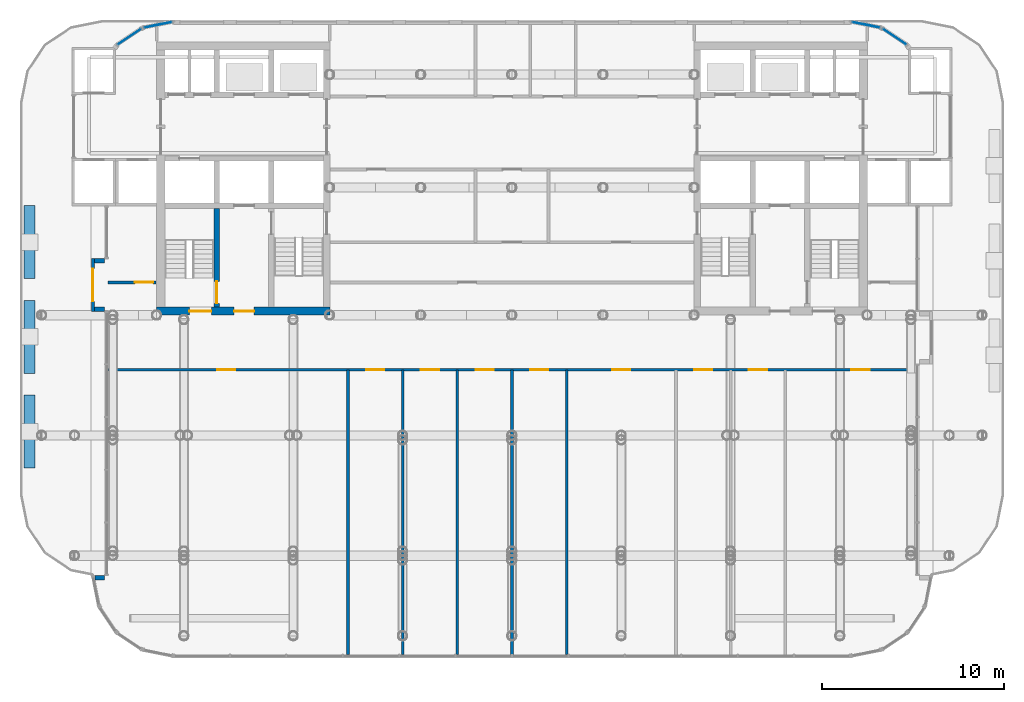
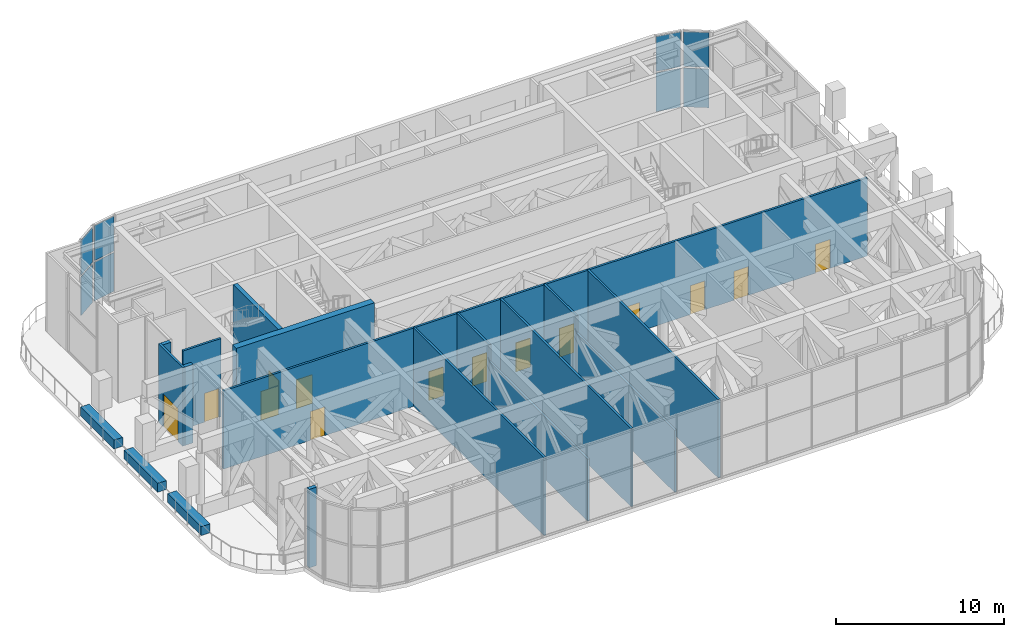
# One storey, part 12 of 21: 18 walls, 14 doors, 8 plates, 14 openings, 4 elements without a shape of their own.
"""IFC4 building model written with IfcOpenShell, lengths in metres."""

from ifc_helpers import new_model, si_unit, direction, frame, frame_2d, origin, origin_2d, place, context, subcontext, project, spatial, rectangle, extrude, material, layer, layer_set, type_object, element, fill, aggregate, save


model = new_model("IFC4")

# Units and contexts
model_context = context("Model", 3, precision=1e-05, world=origin(), true_north=direction((0.0, 1.0)))
body_context = subcontext(model_context, "Body", "Model", "MODEL_VIEW")
ifc_project = project(units=[si_unit("LENGTHUNIT", "METRE"), si_unit("AREAUNIT", "SQUARE_METRE"), si_unit("VOLUMEUNIT", "CUBIC_METRE"), si_unit("PLANEANGLEUNIT", "RADIAN"), si_unit("MASSUNIT", "GRAM", prefix="KILO")], contexts=[model_context])

# Site, building, storey
site_placement = place(None, origin())
site = spatial("IfcSite", under=ifc_project, at=site_placement, CompositionType="ELEMENT")
building_placement = place(site_placement, origin())
building = spatial("IfcBuilding", under=site, at=building_placement, Name="Torana Hotel and Residences", CompositionType="ELEMENT")
storey_placement = place(building_placement, frame((0.0, 0.0, 246.60009765625)))
storey = spatial("IfcBuildingStorey", under=building, at=storey_placement, Name="L65", CompositionType="ELEMENT", Elevation=246.60009765625)

# Curtain wall, plates
ifc_material_1 = material(Name="Dark anodised aluminium", Category="aluminium")
ifc_layer_1 = layer(ifc_material_1, 0.199951171875)
ifc_layer_set_1 = layer_set([ifc_layer_1], Name="CW2 SKY LOBBY UNITISED CURTAIN WALL")
curtain_wall_type = type_object("IfcCurtainWallType", Name="CW2 SKY LOBBY UNITISED CURTAIN WALL", PredefinedType="NOTDEFINED", material=ifc_layer_set_1)
curtain_wall_1_placement = place(storey_placement, origin())
curtain_wall_1 = element("IfcCurtainWall", 1, at=curtain_wall_1_placement, inside=storey, type_object=curtain_wall_type, Name="Curtain wall CW2 L65 e0.19-1", PredefinedType="NOTDEFINED")
ifc_material_2 = material(Name="Glass dark tinted double glazed unit", Category="glass")
ifc_layer_2 = layer(ifc_material_2, 0.031982421875)
ifc_layer_set_2 = layer_set([ifc_layer_2], Name="CW2 DARK GLASS PANEL 32")
plate_type = type_object("IfcPlateType", Name="CW2 DARK GLASS PANEL 32", PredefinedType="CURTAIN_PANEL", material=ifc_layer_set_2)
plate_1_placement = place(storey_placement, frame((20.99658203125, 0.28662109375, 0.11962890625), z_axis=(0.0, 0.0, 1.0), x_axis=(-0.831473968618, 0.555563713278, 0.0)))
plate_1 = element("IfcPlate", 2, at=plate_1_placement, type_object=plate_type, Name="CW2 panel 1.1", PredefinedType="CURTAIN_PANEL", context=body_context, shape_type="SweptSolid", body=[
    extrude(rectangle(XDim=1.516357421875, YDim=0.031982421875, at=origin_2d()), origin(), (0.0, 0.0, 1.0), 2.820068359375),
])
plate_2_placement = place(storey_placement, frame((20.99658203125, 0.28662109375, 3.059814453125), z_axis=(0.0, 0.0, 1.0), x_axis=(-0.831473968618, 0.555563713278, 0.0)))
plate_2 = element("IfcPlate", 3, at=plate_2_placement, type_object=plate_type, Name="CW2 panel 1.2", PredefinedType="CURTAIN_PANEL", context=body_context, shape_type="SweptSolid", body=[
    extrude(rectangle(XDim=1.516357421875, YDim=0.031982421875, at=origin_2d()), origin(), (0.0, 0.0, 1.0), 2.5400390625),
])
aggregate(curtain_wall_1, [plate_1, plate_2])

curtain_wall_2_placement = place(storey_placement, origin())
curtain_wall_2 = element("IfcCurtainWall", 4, at=curtain_wall_2_placement, inside=storey, type_object=curtain_wall_type, Name="Curtain wall CW2 L65 e0.20-1", PredefinedType="NOTDEFINED")
plate_3_placement = place(storey_placement, frame((19.42919921875, 0.93310546875, 0.11962890625), z_axis=(0.0, 0.0, 1.0), x_axis=(-0.980790545928, 0.195063848566, 0.0)))
plate_3 = element("IfcPlate", 5, at=plate_3_placement, type_object=plate_type, Name="CW2 panel 1.1", PredefinedType="CURTAIN_PANEL", context=body_context, shape_type="SweptSolid", body=[
    extrude(rectangle(XDim=1.54150390625, YDim=0.031982421875, at=origin_2d()), origin(), (0.0, 0.0, 1.0), 2.820068359375),
])
plate_4_placement = place(storey_placement, frame((19.42919921875, 0.93310546875, 3.059814453125), z_axis=(0.0, 0.0, 1.0), x_axis=(-0.980790545928, 0.195063848566, 0.0)))
plate_4 = element("IfcPlate", 6, at=plate_4_placement, type_object=plate_type, Name="CW2 panel 1.2", PredefinedType="CURTAIN_PANEL", context=body_context, shape_type="SweptSolid", body=[
    extrude(rectangle(XDim=1.54150390625, YDim=0.031982421875, at=origin_2d()), origin(), (0.0, 0.0, 1.0), 2.5400390625),
])
aggregate(curtain_wall_2, [plate_3, plate_4])

curtain_wall_3_placement = place(storey_placement, origin())
curtain_wall_3 = element("IfcCurtainWall", 7, at=curtain_wall_3_placement, inside=storey, type_object=curtain_wall_type, Name="Curtain wall CW2 L65 e0.22-1", PredefinedType="NOTDEFINED")
plate_5_placement = place(storey_placement, frame((-19.42919921875, 0.93310546875, 0.11962890625), z_axis=(0.0, 0.0, 1.0), x_axis=(-0.980790545928, -0.195063848566, 0.0)))
plate_5 = element("IfcPlate", 8, at=plate_5_placement, type_object=plate_type, Name="CW2 panel 1.1", PredefinedType="CURTAIN_PANEL", context=body_context, shape_type="SweptSolid", body=[
    extrude(rectangle(XDim=1.54150390625, YDim=0.031982421875, at=origin_2d()), origin(), (0.0, 0.0, 1.0), 2.820068359375),
])
plate_6_placement = place(storey_placement, frame((-19.42919921875, 0.93310546875, 3.059814453125), z_axis=(0.0, 0.0, 1.0), x_axis=(-0.980790545928, -0.195063848566, 0.0)))
plate_6 = element("IfcPlate", 9, at=plate_6_placement, type_object=plate_type, Name="CW2 panel 1.2", PredefinedType="CURTAIN_PANEL", context=body_context, shape_type="SweptSolid", body=[
    extrude(rectangle(XDim=1.54150390625, YDim=0.031982421875, at=origin_2d()), origin(), (0.0, 0.0, 1.0), 2.5400390625),
])
aggregate(curtain_wall_3, [plate_5, plate_6])

curtain_wall_4_placement = place(storey_placement, origin())
curtain_wall_4 = element("IfcCurtainWall", 10, at=curtain_wall_4_placement, inside=storey, type_object=curtain_wall_type, Name="Curtain wall CW2 L65 e0.23-1", PredefinedType="NOTDEFINED")
plate_7_placement = place(storey_placement, frame((-20.99658203125, 0.28662109375, 0.11962890625), z_axis=(0.0, 0.0, 1.0), x_axis=(-0.831473968618, -0.555563713278, 0.0)))
plate_7 = element("IfcPlate", 11, at=plate_7_placement, type_object=plate_type, Name="CW2 panel 1.1", PredefinedType="CURTAIN_PANEL", context=body_context, shape_type="SweptSolid", body=[
    extrude(rectangle(XDim=1.516357421875, YDim=0.031982421875, at=origin_2d()), origin(), (0.0, 0.0, 1.0), 2.820068359375),
])
plate_8_placement = place(storey_placement, frame((-20.99658203125, 0.28662109375, 3.059814453125), z_axis=(0.0, 0.0, 1.0), x_axis=(-0.831473968618, -0.555563713278, 0.0)))
plate_8 = element("IfcPlate", 12, at=plate_8_placement, type_object=plate_type, Name="CW2 panel 1.2", PredefinedType="CURTAIN_PANEL", context=body_context, shape_type="SweptSolid", body=[
    extrude(rectangle(XDim=1.516357421875, YDim=0.031982421875, at=origin_2d()), origin(), (0.0, 0.0, 1.0), 2.5400390625),
])
aggregate(curtain_wall_4, [plate_7, plate_8])

# Wall, opening, door
ifc_material_3 = material(Name="Concrete C60/75", Category="concrete")
ifc_layer_3 = layer(ifc_material_3, 0.300048828125)
ifc_layer_set_3 = layer_set([ifc_layer_3], Name="CORE WALL 300 C60/75")
wall_type_1 = type_object("IfcWallType", Name="CORE WALL 300 C60/75", PredefinedType="SHEAR", material=ifc_layer_set_3)
wall_1_placement = place(storey_placement, frame((-16.199951171875, -14.550048828125, 0.0), z_axis=(0.0, 0.0, 1.0), x_axis=(0.0, 1.0, 0.0)))
wall_1 = element("IfcWall", 13, at=wall_1_placement, inside=storey, type_object=wall_type_1, Name="Core wall W x6.05-band", PredefinedType="SHEAR", context=body_context, shape_type="SweptSolid", body=[
    extrude(rectangle(XDim=5.400146484375, YDim=0.300048828125, at=frame_2d((2.7001953125, 0.0))), origin(), (0.0, 0.0, 1.0), 6.0),
])
opening_1_placement = place(wall_1_placement, frame((0.199951171875, 0.0, 0.0)))
opening_1 = element("IfcOpeningElement", 14, at=opening_1_placement, cuts=wall_1, Name="Opening L65-13", PredefinedType="OPENING", context=body_context, shape_type="SweptSolid", body=[
    extrude(rectangle(XDim=1.199951171875, YDim=2.10009765625, at=frame_2d((0.60009765625, 1.050048828125))), frame((0.0, 0.159912109375, 0.0), z_axis=(0.0, -1.0, 0.0), x_axis=(1.0, 0.0, 0.0)), (0.0, 0.0, 1.0), 0.320068359375),
])
ifc_material_4 = material(Name="Steel S235", Category="steel")
door_type_1 = type_object("IfcDoorType", Name="STAIR FIRE DOOR D3 1200x2100", OperationType="SINGLE_SWING_LEFT", PredefinedType="DOOR", material=ifc_material_4)
door_1_placement = place(opening_1_placement, origin())
door_1 = element("IfcDoor", 15, at=door_1_placement, inside=storey, type_object=door_type_1, Name="Stair-B-lobby door L65", OperationType="SINGLE_SWING_RIGHT", OverallHeight=2.10009765625, OverallWidth=1.199951171875, PredefinedType="DOOR", context=body_context, shape_type="SweptSolid", body=[
    extrude(rectangle(XDim=1.199951171875, YDim=2.10009765625, at=frame_2d((0.60009765625, 1.050048828125))), frame((0.0, 0.02490234375, 0.0), z_axis=(0.0, -1.0, 0.0), x_axis=(1.0, 0.0, 0.0)), (0.0, 0.0, 1.0), 0.050048828125),
])
fill(opening_1, door_1)

# Wall, openings, doors
ifc_material_5 = material(Name="Concrete C60/75", Category="concrete")
ifc_layer_4 = layer(ifc_material_5, 0.449951171875)
ifc_layer_set_4 = layer_set([ifc_layer_4], Name="CORE WALL 450 C60/75")
wall_type_2 = type_object("IfcWallType", Name="CORE WALL 450 C60/75", PredefinedType="SHEAR", material=ifc_layer_set_4)
wall_2_placement = place(storey_placement, frame((-19.5, -14.77490234375, 0.0), z_axis=(0.0, 0.0, 1.0), x_axis=(1.0, 0.0, 0.0)))
wall_2 = element("IfcWall", 16, at=wall_2_placement, inside=storey, type_object=wall_type_2, Name="Core wall W front", PredefinedType="SHEAR", context=body_context, shape_type="SweptSolid", body=[
    extrude(rectangle(XDim=9.5, YDim=0.449951171875, at=frame_2d((4.75, 0.0))), origin(), (0.0, 0.0, 1.0), 6.0),
])
opening_2_placement = place(wall_2_placement, frame((1.800048828125, 0.0, 0.0)))
opening_2 = element("IfcOpeningElement", 17, at=opening_2_placement, cuts=wall_2, Name="Opening L65-08", PredefinedType="OPENING", context=body_context, shape_type="SweptSolid", body=[
    extrude(rectangle(XDim=1.199951171875, YDim=2.10009765625, at=frame_2d((0.60009765625, 1.050048828125))), frame((0.0, 0.23486328125, 0.0), z_axis=(0.0, -1.0, 0.0), x_axis=(1.0, 0.0, 0.0)), (0.0, 0.0, 1.0), 0.469970703125),
])
opening_3_placement = place(wall_2_placement, frame((4.25, 0.0, 0.0)))
opening_3 = element("IfcOpeningElement", 18, at=opening_3_placement, cuts=wall_2, Name="Opening L65-09", PredefinedType="OPENING", context=body_context, shape_type="SweptSolid", body=[
    extrude(rectangle(XDim=1.10009765625, YDim=2.10009765625, at=frame_2d((0.550048828125, 1.050048828125))), frame((0.0, 0.23486328125, 0.0), z_axis=(0.0, -1.0, 0.0), x_axis=(1.0, 0.0, 0.0)), (0.0, 0.0, 1.0), 0.469970703125),
])
ifc_material_6 = material(Name="Steel S235", Category="steel")
door_type_2 = type_object("IfcDoorType", Name="FIRE-FIGHTING LOBBY DOOR D8 1100x2100", OperationType="SINGLE_SWING_LEFT", PredefinedType="DOOR", material=ifc_material_6)
door_2_placement = place(opening_3_placement, origin())
door_2 = element("IfcDoor", 19, at=door_2_placement, inside=storey, type_object=door_type_2, Name="FF-lobby door L65", OperationType="SINGLE_SWING_RIGHT", OverallHeight=2.10009765625, OverallWidth=1.10009765625, PredefinedType="DOOR", context=body_context, shape_type="SweptSolid", body=[
    extrude(rectangle(XDim=1.10009765625, YDim=2.10009765625, at=frame_2d((0.550048828125, 1.050048828125))), frame((0.0, 0.02490234375, 0.0), z_axis=(0.0, -1.0, 0.0), x_axis=(1.0, 0.0, 0.0)), (0.0, 0.0, 1.0), 0.050048828125),
])
fill(opening_3, door_2)
door_3_placement = place(opening_2_placement, origin())
door_3 = element("IfcDoor", 20, at=door_3_placement, inside=storey, type_object=door_type_1, Name="Stair-B door L65", OperationType="SINGLE_SWING_LEFT", OverallHeight=2.10009765625, OverallWidth=1.199951171875, PredefinedType="DOOR", context=body_context, shape_type="SweptSolid", body=[
    extrude(rectangle(XDim=1.199951171875, YDim=2.10009765625, at=frame_2d((0.60009765625, 1.050048828125))), frame((0.0, 0.02490234375, 0.0), z_axis=(0.0, -1.0, 0.0), x_axis=(1.0, 0.0, 0.0)), (0.0, 0.0, 1.0), 0.050048828125),
])
fill(opening_2, door_3)

# Walls
ifc_material_7 = material(Name="Black aluminium composite panel", Category="aluminium")
ifc_layer_5 = layer(ifc_material_7, 0.00390625, Name="Cladding", Category="cladding")
ifc_material_8 = material(Name="Ventilated air cavity")
ifc_layer_6 = layer(ifc_material_8, 0.0400390625, Name="Ventilated cavity", Category="cavity")
ifc_material_9 = material(Name="Mineral wool insulation")
ifc_layer_7 = layer(ifc_material_9, 0.090087890625, Name="Insulation", Category="insulation")
ifc_material_10 = material(Name="Steel S280GD", Category="steel")
ifc_layer_8 = layer(ifc_material_10, 0.092041015625, Name="Steel stud frame", Category="structure")
ifc_material_11 = material(Name="Fire rated plasterboard")
ifc_layer_9 = layer(ifc_material_11, 0.011962890625, Name="Inner board", Category="finish")
ifc_layer_10 = layer(ifc_material_11, 0.011962890625, Name="Second board", Category="finish")
ifc_layer_set_5 = layer_set([ifc_layer_5, ifc_layer_6, ifc_layer_7, ifc_layer_8, ifc_layer_9, ifc_layer_10], Name="EW1 EXTERNAL WALL BLACK METAL CLAD 250")
wall_type_3 = type_object("IfcWallType", Name="EW1 EXTERNAL WALL BLACK METAL CLAD 250", PredefinedType="SOLIDWALL", material=ifc_layer_set_5)
for number, where, z_axis, x_axis, name in (
    (21, (-22.35498046875, -12.021484375, 0.0), (0.0, 0.0, 1.0), (-1.0, 0.0, 0.0), "External wall L65 e0.4.1 bay return 1"),
    (22, (-22.35498046875, -14.66796875, 0.0), (0.0, 0.0, 1.0), (-1.0, 0.0, 0.0), "External wall L65 e0.4.1 bay return 2"),
):
    element("IfcWall", number, at=place(storey_placement, frame(where, z_axis=z_axis, x_axis=x_axis)), inside=storey, type_object=wall_type_3, Name=name, PredefinedType="SOLIDWALL", context=body_context, shape_type="SweptSolid", body=[
        extrude(rectangle(XDim=0.570068359375, YDim=0.25, at=frame_2d((0.28515625, 0.0))), origin(), (0.0, 0.0, 1.0), 5.719970703125),
    ])
wall_3_placement = place(storey_placement, frame((-22.35498046875, -29.400390625, 0.0), z_axis=(0.0, 0.0, 1.0), x_axis=(-1.0, 0.0, 0.0)))
element("IfcWall", 23, at=wall_3_placement, inside=storey, type_object=wall_type_3, Name="External wall L65 e0.4 return 2", PredefinedType="SOLIDWALL", context=body_context, shape_type="SweptSolid", body=[
    extrude(rectangle(XDim=0.52490234375, YDim=0.25, at=frame_2d((0.262451171875, 0.0))), origin(), (0.0, 0.0, 1.0), 5.719970703125),
])

# Wall, openings, doors
ifc_material_12 = material(Name="Gypsum plaster")
ifc_layer_11 = layer(ifc_material_12, 0.014892578125, Name="Plaster", Category="finish")
ifc_material_13 = material(Name="Concrete blockwork", Category="masonry")
ifc_layer_12 = layer(ifc_material_13, 0.1201171875, Name="Blockwork", Category="structure")
ifc_layer_13 = layer(ifc_material_12, 0.014892578125, Name="Plaster", Category="finish")
ifc_layer_set_6 = layer_set([ifc_layer_11, ifc_layer_12, ifc_layer_13], Name="FIRE PARTITION 150 BLOCKWORK")
wall_type_4 = type_object("IfcWallType", Name="FIRE PARTITION 150 BLOCKWORK", PredefinedType="PARTITIONING", material=ifc_layer_set_6)
wall_4_placement = place(storey_placement, frame((-22.175048828125, -18.0, 0.0), z_axis=(0.0, 0.0, 1.0), x_axis=(1.0, 0.0, 0.0)))
wall_4 = element("IfcWall", 24, at=wall_4_placement, inside=storey, type_object=wall_type_4, Name="Partition L65", PredefinedType="PARTITIONING", context=body_context, shape_type="SweptSolid", body=[
    extrude(rectangle(XDim=44.35009765625, YDim=0.14990234375, at=frame_2d((22.175048828125, 0.0))), origin(), (0.0, 0.0, 1.0), 5.699951171875),
])
opening_4_placement = place(wall_4_placement, frame((5.9970703125, 0.0, 0.0)))
opening_4 = element("IfcOpeningElement", 25, at=opening_4_placement, cuts=wall_4, Name="Opening L65-24", PredefinedType="OPENING", context=body_context, shape_type="SweptSolid", body=[
    extrude(rectangle(XDim=1.0, YDim=2.10009765625, at=frame_2d((0.5, 1.050048828125))), frame((0.0, 0.0849609375, 0.0), z_axis=(0.0, -1.0, 0.0), x_axis=(1.0, 0.0, 0.0)), (0.0, 0.0, 1.0), 0.169921875),
])
opening_5_placement = place(wall_4_placement, frame((14.175048828125, 0.0, 0.0)))
opening_5 = element("IfcOpeningElement", 26, at=opening_5_placement, cuts=wall_4, Name="Opening L65-25", PredefinedType="OPENING", context=body_context, shape_type="SweptSolid", body=[
    extrude(rectangle(XDim=1.0, YDim=2.10009765625, at=frame_2d((0.5, 1.050048828125))), frame((0.0, 0.0849609375, 0.0), z_axis=(0.0, -1.0, 0.0), x_axis=(1.0, 0.0, 0.0)), (0.0, 0.0, 1.0), 0.169921875),
])
opening_6_placement = place(wall_4_placement, frame((17.175048828125, 0.0, 0.0)))
opening_6 = element("IfcOpeningElement", 27, at=opening_6_placement, cuts=wall_4, Name="Opening L65-26", PredefinedType="OPENING", context=body_context, shape_type="SweptSolid", body=[
    extrude(rectangle(XDim=1.0, YDim=2.10009765625, at=frame_2d((0.5, 1.050048828125))), frame((0.0, 0.0849609375, 0.0), z_axis=(0.0, -1.0, 0.0), x_axis=(1.0, 0.0, 0.0)), (0.0, 0.0, 1.0), 0.169921875),
])
opening_7_placement = place(wall_4_placement, frame((20.175048828125, 0.0, 0.0)))
opening_7 = element("IfcOpeningElement", 28, at=opening_7_placement, cuts=wall_4, Name="Opening L65-27", PredefinedType="OPENING", context=body_context, shape_type="SweptSolid", body=[
    extrude(rectangle(XDim=1.0, YDim=2.10009765625, at=frame_2d((0.5, 1.050048828125))), frame((0.0, 0.0849609375, 0.0), z_axis=(0.0, -1.0, 0.0), x_axis=(1.0, 0.0, 0.0)), (0.0, 0.0, 1.0), 0.169921875),
])
opening_8_placement = place(wall_4_placement, frame((23.175048828125, 0.0, 0.0)))
opening_8 = element("IfcOpeningElement", 29, at=opening_8_placement, cuts=wall_4, Name="Opening L65-28", PredefinedType="OPENING", context=body_context, shape_type="SweptSolid", body=[
    extrude(rectangle(XDim=1.0, YDim=2.10009765625, at=frame_2d((0.5, 1.050048828125))), frame((0.0, 0.0849609375, 0.0), z_axis=(0.0, -1.0, 0.0), x_axis=(1.0, 0.0, 0.0)), (0.0, 0.0, 1.0), 0.169921875),
])
opening_9_placement = place(wall_4_placement, frame((27.675048828125, 0.0, 0.0)))
opening_9 = element("IfcOpeningElement", 30, at=opening_9_placement, cuts=wall_4, Name="Opening L65-29", PredefinedType="OPENING", context=body_context, shape_type="SweptSolid", body=[
    extrude(rectangle(XDim=1.0, YDim=2.10009765625, at=frame_2d((0.5, 1.050048828125))), frame((0.0, 0.0849609375, 0.0), z_axis=(0.0, -1.0, 0.0), x_axis=(1.0, 0.0, 0.0)), (0.0, 0.0, 1.0), 0.169921875),
])
opening_10_placement = place(wall_4_placement, frame((32.175048828125, 0.0, 0.0)))
opening_10 = element("IfcOpeningElement", 31, at=opening_10_placement, cuts=wall_4, Name="Opening L65-30", PredefinedType="OPENING", context=body_context, shape_type="SweptSolid", body=[
    extrude(rectangle(XDim=1.0, YDim=2.10009765625, at=frame_2d((0.5, 1.050048828125))), frame((0.0, 0.0849609375, 0.0), z_axis=(0.0, -1.0, 0.0), x_axis=(1.0, 0.0, 0.0)), (0.0, 0.0, 1.0), 0.169921875),
])
opening_11_placement = place(wall_4_placement, frame((35.175048828125, 0.0, 0.0)))
opening_11 = element("IfcOpeningElement", 32, at=opening_11_placement, cuts=wall_4, Name="Opening L65-31", PredefinedType="OPENING", context=body_context, shape_type="SweptSolid", body=[
    extrude(rectangle(XDim=1.0, YDim=2.10009765625, at=frame_2d((0.5, 1.050048828125))), frame((0.0, 0.0849609375, 0.0), z_axis=(0.0, -1.0, 0.0), x_axis=(1.0, 0.0, 0.0)), (0.0, 0.0, 1.0), 0.169921875),
])
opening_12_placement = place(wall_4_placement, frame((40.800048828125, 0.0, 0.0)))
opening_12 = element("IfcOpeningElement", 33, at=opening_12_placement, cuts=wall_4, Name="Opening L65-32", PredefinedType="OPENING", context=body_context, shape_type="SweptSolid", body=[
    extrude(rectangle(XDim=1.0, YDim=2.10009765625, at=frame_2d((0.5, 1.050048828125))), frame((0.0, 0.0849609375, 0.0), z_axis=(0.0, -1.0, 0.0), x_axis=(1.0, 0.0, 0.0)), (0.0, 0.0, 1.0), 0.169921875),
])
ifc_material_14 = material(Name="Steel S235", Category="steel")
door_type_3 = type_object("IfcDoorType", Name="ENTRY FIRE DOOR D6 1000x2100", OperationType="SINGLE_SWING_LEFT", PredefinedType="DOOR", material=ifc_material_14)
door_4_placement = place(opening_4_placement, frame((0.5, 0.0, 0.0), z_axis=(0.0, 0.0, 1.0), x_axis=(-1.0, 0.0, 0.0)))
door_4 = element("IfcDoor", 34, at=door_4_placement, inside=storey, type_object=door_type_3, Name="Door L65", OperationType="SINGLE_SWING_LEFT", OverallHeight=2.10009765625, OverallWidth=1.0, PredefinedType="DOOR", context=body_context, shape_type="SweptSolid", body=[
    extrude(rectangle(XDim=1.0, YDim=2.10009765625, at=frame_2d((0.0, 1.050048828125))), frame((0.0, -0.02490234375, 0.0), z_axis=(0.0, 1.0, 0.0), x_axis=(-1.0, 0.0, 0.0)), (0.0, 0.0, 1.0), 0.050048828125),
])
fill(opening_4, door_4)
door_5_placement = place(opening_5_placement, frame((0.5, 0.0, 0.0), z_axis=(0.0, 0.0, 1.0), x_axis=(-1.0, 0.0, 0.0)))
door_5 = element("IfcDoor", 35, at=door_5_placement, inside=storey, type_object=door_type_3, Name="Door L65", OperationType="SINGLE_SWING_LEFT", OverallHeight=2.10009765625, OverallWidth=1.0, PredefinedType="DOOR", context=body_context, shape_type="SweptSolid", body=[
    extrude(rectangle(XDim=1.0, YDim=2.10009765625, at=frame_2d((0.0, 1.050048828125))), frame((0.0, -0.02490234375, 0.0), z_axis=(0.0, 1.0, 0.0), x_axis=(-1.0, 0.0, 0.0)), (0.0, 0.0, 1.0), 0.050048828125),
])
fill(opening_5, door_5)
door_6_placement = place(opening_6_placement, frame((0.5, 0.0, 0.0), z_axis=(0.0, 0.0, 1.0), x_axis=(-1.0, 0.0, 0.0)))
door_6 = element("IfcDoor", 36, at=door_6_placement, inside=storey, type_object=door_type_3, Name="Door L65", OperationType="SINGLE_SWING_LEFT", OverallHeight=2.10009765625, OverallWidth=1.0, PredefinedType="DOOR", context=body_context, shape_type="SweptSolid", body=[
    extrude(rectangle(XDim=1.0, YDim=2.10009765625, at=frame_2d((0.0, 1.050048828125))), frame((0.0, -0.02490234375, 0.0), z_axis=(0.0, 1.0, 0.0), x_axis=(-1.0, 0.0, 0.0)), (0.0, 0.0, 1.0), 0.050048828125),
])
fill(opening_6, door_6)
door_7_placement = place(opening_7_placement, frame((0.5, 0.0, 0.0), z_axis=(0.0, 0.0, 1.0), x_axis=(-1.0, 0.0, 0.0)))
door_7 = element("IfcDoor", 37, at=door_7_placement, inside=storey, type_object=door_type_3, Name="Door L65", OperationType="SINGLE_SWING_LEFT", OverallHeight=2.10009765625, OverallWidth=1.0, PredefinedType="DOOR", context=body_context, shape_type="SweptSolid", body=[
    extrude(rectangle(XDim=1.0, YDim=2.10009765625, at=frame_2d((0.0, 1.050048828125))), frame((0.0, -0.02490234375, 0.0), z_axis=(0.0, 1.0, 0.0), x_axis=(-1.0, 0.0, 0.0)), (0.0, 0.0, 1.0), 0.050048828125),
])
fill(opening_7, door_7)
door_8_placement = place(opening_8_placement, frame((0.5, 0.0, 0.0), z_axis=(0.0, 0.0, 1.0), x_axis=(-1.0, 0.0, 0.0)))
door_8 = element("IfcDoor", 38, at=door_8_placement, inside=storey, type_object=door_type_3, Name="Door L65", OperationType="SINGLE_SWING_LEFT", OverallHeight=2.10009765625, OverallWidth=1.0, PredefinedType="DOOR", context=body_context, shape_type="SweptSolid", body=[
    extrude(rectangle(XDim=1.0, YDim=2.10009765625, at=frame_2d((0.0, 1.050048828125))), frame((0.0, -0.02490234375, 0.0), z_axis=(0.0, 1.0, 0.0), x_axis=(-1.0, 0.0, 0.0)), (0.0, 0.0, 1.0), 0.050048828125),
])
fill(opening_8, door_8)
door_9_placement = place(opening_9_placement, frame((0.5, 0.0, 0.0), z_axis=(0.0, 0.0, 1.0), x_axis=(-1.0, 0.0, 0.0)))
door_9 = element("IfcDoor", 39, at=door_9_placement, inside=storey, type_object=door_type_3, Name="Door L65", OperationType="SINGLE_SWING_LEFT", OverallHeight=2.10009765625, OverallWidth=1.0, PredefinedType="DOOR", context=body_context, shape_type="SweptSolid", body=[
    extrude(rectangle(XDim=1.0, YDim=2.10009765625, at=frame_2d((0.0, 1.050048828125))), frame((0.0, -0.02490234375, 0.0), z_axis=(0.0, 1.0, 0.0), x_axis=(-1.0, 0.0, 0.0)), (0.0, 0.0, 1.0), 0.050048828125),
])
fill(opening_9, door_9)
door_10_placement = place(opening_10_placement, frame((0.5, 0.0, 0.0), z_axis=(0.0, 0.0, 1.0), x_axis=(-1.0, 0.0, 0.0)))
door_10 = element("IfcDoor", 40, at=door_10_placement, inside=storey, type_object=door_type_3, Name="Door L65", OperationType="SINGLE_SWING_LEFT", OverallHeight=2.10009765625, OverallWidth=1.0, PredefinedType="DOOR", context=body_context, shape_type="SweptSolid", body=[
    extrude(rectangle(XDim=1.0, YDim=2.10009765625, at=frame_2d((0.0, 1.050048828125))), frame((0.0, -0.02490234375, 0.0), z_axis=(0.0, 1.0, 0.0), x_axis=(-1.0, 0.0, 0.0)), (0.0, 0.0, 1.0), 0.050048828125),
])
fill(opening_10, door_10)
door_11_placement = place(opening_11_placement, frame((0.5, 0.0, 0.0), z_axis=(0.0, 0.0, 1.0), x_axis=(-1.0, 0.0, 0.0)))
door_11 = element("IfcDoor", 41, at=door_11_placement, inside=storey, type_object=door_type_3, Name="Door L65", OperationType="SINGLE_SWING_LEFT", OverallHeight=2.10009765625, OverallWidth=1.0, PredefinedType="DOOR", context=body_context, shape_type="SweptSolid", body=[
    extrude(rectangle(XDim=1.0, YDim=2.10009765625, at=frame_2d((0.0, 1.050048828125))), frame((0.0, -0.02490234375, 0.0), z_axis=(0.0, 1.0, 0.0), x_axis=(-1.0, 0.0, 0.0)), (0.0, 0.0, 1.0), 0.050048828125),
])
fill(opening_11, door_11)
door_12_placement = place(opening_12_placement, frame((0.5, 0.0, 0.0), z_axis=(0.0, 0.0, 1.0), x_axis=(-1.0, 0.0, 0.0)))
door_12 = element("IfcDoor", 42, at=door_12_placement, inside=storey, type_object=door_type_3, Name="Door L65", OperationType="SINGLE_SWING_LEFT", OverallHeight=2.10009765625, OverallWidth=1.0, PredefinedType="DOOR", context=body_context, shape_type="SweptSolid", body=[
    extrude(rectangle(XDim=1.0, YDim=2.10009765625, at=frame_2d((0.0, 1.050048828125))), frame((0.0, -0.02490234375, 0.0), z_axis=(0.0, 1.0, 0.0), x_axis=(-1.0, 0.0, 0.0)), (0.0, 0.0, 1.0), 0.050048828125),
])
fill(opening_12, door_12)

# Wall, opening, door
wall_5_placement = place(storey_placement, frame((-22.175048828125, -13.199951171875, 0.0), z_axis=(0.0, 0.0, 1.0), x_axis=(1.0, 0.0, 0.0)))
wall_5 = element("IfcWall", 43, at=wall_5_placement, inside=storey, type_object=wall_type_4, Name="Partition L65", PredefinedType="PARTITIONING", context=body_context, shape_type="SweptSolid", body=[
    extrude(rectangle(XDim=2.625, YDim=0.14990234375, at=frame_2d((1.3125, 0.0))), origin(), (0.0, 0.0, 1.0), 5.699951171875),
])
opening_13_placement = place(wall_5_placement, frame((1.47509765625, 0.0, 0.0)))
opening_13 = element("IfcOpeningElement", 44, at=opening_13_placement, cuts=wall_5, Name="Opening L65-33", PredefinedType="OPENING", context=body_context, shape_type="SweptSolid", body=[
    extrude(rectangle(XDim=1.0, YDim=2.10009765625, at=frame_2d((0.5, 1.050048828125))), frame((0.0, 0.0849609375, 0.0), z_axis=(0.0, -1.0, 0.0), x_axis=(1.0, 0.0, 0.0)), (0.0, 0.0, 1.0), 0.169921875),
])
ifc_material_15 = material(Name="Steel S235", Category="steel")
door_type_4 = type_object("IfcDoorType", Name="CORE ROOM FIRE DOOR D14 1000x2100", OperationType="SINGLE_SWING_LEFT", PredefinedType="DOOR", material=ifc_material_15)
door_13_placement = place(opening_13_placement, origin())
door_13 = element("IfcDoor", 45, at=door_13_placement, inside=storey, type_object=door_type_4, Name="Door L65", OperationType="SINGLE_SWING_LEFT", OverallHeight=2.10009765625, OverallWidth=1.0, PredefinedType="DOOR", context=body_context, shape_type="SweptSolid", body=[
    extrude(rectangle(XDim=1.0, YDim=2.10009765625, at=frame_2d((0.5, 1.050048828125))), frame((0.0, 0.02490234375, 0.0), z_axis=(0.0, -1.0, 0.0), x_axis=(1.0, 0.0, 0.0)), (0.0, 0.0, 1.0), 0.050048828125),
])
fill(opening_13, door_13)

ifc_material_16 = material(Name="Dark glass screen in aluminium frame", Category="aluminium")
ifc_layer_14 = layer(ifc_material_16, 0.14990234375)
ifc_layer_set_7 = layer_set([ifc_layer_14], Name="GS1 GLAZED DOOR SCREEN 150")
wall_type_5 = type_object("IfcWallType", Name="GS1 GLAZED DOOR SCREEN 150", PredefinedType="USERDEFINED", material=ifc_layer_set_7)
wall_6_placement = place(storey_placement, frame((-23.0, -11.896484375, 0.0), z_axis=(0.0, 0.0, 1.0), x_axis=(0.0, -1.0, 0.0)))
wall_6 = element("IfcWall", 46, at=wall_6_placement, inside=storey, type_object=wall_type_5, Name="Glazed door screen L65", ObjectType="GLAZED SCREEN", PredefinedType="USERDEFINED", context=body_context, shape_type="SweptSolid", body=[
    extrude(rectangle(XDim=2.896484375, YDim=0.14990234375, at=frame_2d((1.4482421875, 0.0))), origin(), (0.0, 0.0, 1.0), 5.719970703125),
])
opening_14_placement = place(wall_6_placement, frame((0.548095703125, 0.0, 0.0)))
opening_14 = element("IfcOpeningElement", 47, at=opening_14_placement, cuts=wall_6, Name="Opening L65-E01", PredefinedType="OPENING", context=body_context, shape_type="SweptSolid", body=[
    extrude(rectangle(XDim=1.800048828125, YDim=2.39990234375, at=frame_2d((0.89990234375, 1.199951171875))), frame((0.0, 0.0849609375, 0.0), z_axis=(0.0, -1.0, 0.0), x_axis=(1.0, 0.0, 0.0)), (0.0, 0.0, 1.0), 0.169921875),
])
ifc_material_17 = material(Name="Dark glass in black aluminium frame", Category="aluminium")
door_type_5 = type_object("IfcDoorType", Name="DE2 TERRACE DOOR 1800x2400", OperationType="DOUBLE_DOOR_SINGLE_SWING", PredefinedType="DOOR", material=ifc_material_17)
door_14_placement = place(opening_14_placement, origin())
door_14 = element("IfcDoor", 48, at=door_14_placement, inside=storey, type_object=door_type_5, Name="Terrace door L65", OperationType="DOUBLE_DOOR_SINGLE_SWING", OverallHeight=2.39990234375, OverallWidth=1.800048828125, PredefinedType="DOOR", context=body_context, shape_type="SweptSolid", body=[
    extrude(rectangle(XDim=1.800048828125, YDim=2.39990234375, at=frame_2d((0.89990234375, 1.199951171875))), frame((0.0, 0.02490234375, 0.0), z_axis=(0.0, -1.0, 0.0), x_axis=(1.0, 0.0, 0.0)), (0.0, 0.0, 1.0), 0.050048828125),
])
fill(opening_14, door_14)

# Walls
ifc_material_18 = material(Name="Gypsum plasterboard")
ifc_layer_15 = layer(ifc_material_18, 0.012451171875, Name="Plasterboard", Category="finish")
ifc_layer_16 = layer(ifc_material_18, 0.012451171875, Name="Plasterboard", Category="finish")
ifc_layer_17 = layer(ifc_material_10, 0.10009765625, Name="Steel studs with mineral wool", Category="insulation")
ifc_layer_18 = layer(ifc_material_18, 0.012451171875, Name="Plasterboard", Category="finish")
ifc_layer_19 = layer(ifc_material_18, 0.012451171875, Name="Plasterboard", Category="finish")
ifc_layer_set_8 = layer_set([ifc_layer_15, ifc_layer_16, ifc_layer_17, ifc_layer_18, ifc_layer_19], Name="PARTITION 150 PLASTERBOARD")
wall_type_6 = type_object("IfcWallType", Name="PARTITION 150 PLASTERBOARD", PredefinedType="PARTITIONING", material=ifc_layer_set_8)
wall_7_placement = place(storey_placement, frame((3.0, -33.6201171875, 0.0), z_axis=(0.0, 0.0, 1.0), x_axis=(0.0, 1.0, 0.0)))
element("IfcWall", 49, at=wall_7_placement, inside=storey, type_object=wall_type_6, Name="Partition L65", PredefinedType="PARTITIONING", context=body_context, shape_type="SweptSolid", body=[
    extrude(rectangle(XDim=15.6201171875, YDim=0.14990234375, at=frame_2d((7.81005859375, 0.0))), origin(), (0.0, 0.0, 1.0), 5.699951171875),
])
wall_8_placement = place(storey_placement, frame((0.0, -33.6201171875, 0.0), z_axis=(0.0, 0.0, 1.0), x_axis=(0.0, 1.0, 0.0)))
element("IfcWall", 50, at=wall_8_placement, inside=storey, type_object=wall_type_6, Name="Partition L65", PredefinedType="PARTITIONING", context=body_context, shape_type="SweptSolid", body=[
    extrude(rectangle(XDim=11.77001953125, YDim=0.14990234375, at=frame_2d((5.885009765625, 0.0))), origin(), (0.0, 0.0, 1.0), 4.52001953125),
])
wall_9_placement = place(storey_placement, frame((-3.0, -33.6201171875, 0.0), z_axis=(0.0, 0.0, 1.0), x_axis=(0.0, 1.0, 0.0)))
element("IfcWall", 51, at=wall_9_placement, inside=storey, type_object=wall_type_6, Name="Partition L65", PredefinedType="PARTITIONING", context=body_context, shape_type="SweptSolid", body=[
    extrude(rectangle(XDim=15.6201171875, YDim=0.14990234375, at=frame_2d((7.81005859375, 0.0))), origin(), (0.0, 0.0, 1.0), 5.699951171875),
])
wall_10_placement = place(storey_placement, frame((-6.0, -33.6201171875, 0.0), z_axis=(0.0, 0.0, 1.0), x_axis=(0.0, 1.0, 0.0)))
element("IfcWall", 52, at=wall_10_placement, inside=storey, type_object=wall_type_6, Name="Partition L65", PredefinedType="PARTITIONING", context=body_context, shape_type="SweptSolid", body=[
    extrude(rectangle(XDim=11.77001953125, YDim=0.14990234375, at=frame_2d((5.885009765625, 0.0))), origin(), (0.0, 0.0, 1.0), 4.52001953125),
])
wall_11_placement = place(storey_placement, frame((-9.0, -33.6201171875, 0.0), z_axis=(0.0, 0.0, 1.0), x_axis=(0.0, 1.0, 0.0)))
element("IfcWall", 53, at=wall_11_placement, inside=storey, type_object=wall_type_6, Name="Partition L65", PredefinedType="PARTITIONING", context=body_context, shape_type="SweptSolid", body=[
    extrude(rectangle(XDim=15.6201171875, YDim=0.14990234375, at=frame_2d((7.81005859375, 0.0))), origin(), (0.0, 0.0, 1.0), 5.699951171875),
])
for number, where, z_axis, x_axis, name in (
    (54, (0.0, -21.85009765625, 0.0), (0.0, 0.0, 1.0), (0.0, 1.0, 0.0), "Partition L65"),
    (55, (-6.0, -21.85009765625, 0.0), (0.0, 0.0, 1.0), (0.0, 1.0, 0.0), "Partition L65"),
):
    element("IfcWall", number, at=place(storey_placement, frame(where, z_axis=z_axis, x_axis=x_axis)), inside=storey, type_object=wall_type_6, Name=name, PredefinedType="PARTITIONING", context=body_context, shape_type="SweptSolid", body=[
        extrude(rectangle(XDim=3.85009765625, YDim=0.14990234375, at=frame_2d((1.925048828125, 0.0))), origin(), (0.0, 0.0, 1.0), 5.699951171875),
    ])
ifc_material_19 = material(Name="Concrete C40/50 precast", Category="concrete")
ifc_layer_20 = layer(ifc_material_19, 0.10009765625, Name="Planter shell", Category="structure")
ifc_material_20 = material(Name="Root resistant membrane")
ifc_layer_21 = layer(ifc_material_20, 0.00390625, Name="Waterproofing membrane", Category="membrane")
ifc_material_21 = material(Name="Drainage board with filter fleece")
ifc_layer_22 = layer(ifc_material_21, 0.02001953125, Name="Drainage board", Category="drainage")
ifc_material_22 = material(Name="Growing medium")
ifc_layer_23 = layer(ifc_material_22, 0.47607421875, Name="Planting substrate", Category="soil")
ifc_layer_set_9 = layer_set([ifc_layer_20, ifc_layer_21, ifc_layer_22, ifc_layer_23], Name="PL1 BALCONY PLANTER 600")
wall_type_7 = type_object("IfcWallType", Name="PL1 BALCONY PLANTER 600", PredefinedType="USERDEFINED", material=ifc_layer_set_9)
for number, where, z_axis, x_axis, name in (
    (56, (-26.469970703125, -23.39208984375, 0.0), (0.0, 0.0, 1.0), (0.0, 1.0, 0.0), "Planter L65 2.1"),
    (57, (-26.469970703125, -18.192138671875, 0.0), (0.0, 0.0, 1.0), (0.0, 1.0, 0.0), "Planter L65 2.2"),
    (58, (-26.469970703125, -12.9921875, 0.0), (0.0, 0.0, 1.0), (0.0, 1.0, 0.0), "Planter L65 2.3"),
):
    element("IfcWall", number, at=place(storey_placement, frame(where, z_axis=z_axis, x_axis=x_axis)), inside=storey, type_object=wall_type_7, Name=name, ObjectType="PLANTER", PredefinedType="USERDEFINED", context=body_context, shape_type="SweptSolid", body=[
        extrude(rectangle(XDim=4.0, YDim=0.60009765625, at=frame_2d((2.0, 0.0))), origin(), (0.0, 0.0, 1.0), 0.64990234375),
    ])

save(model, "model.ifc")
